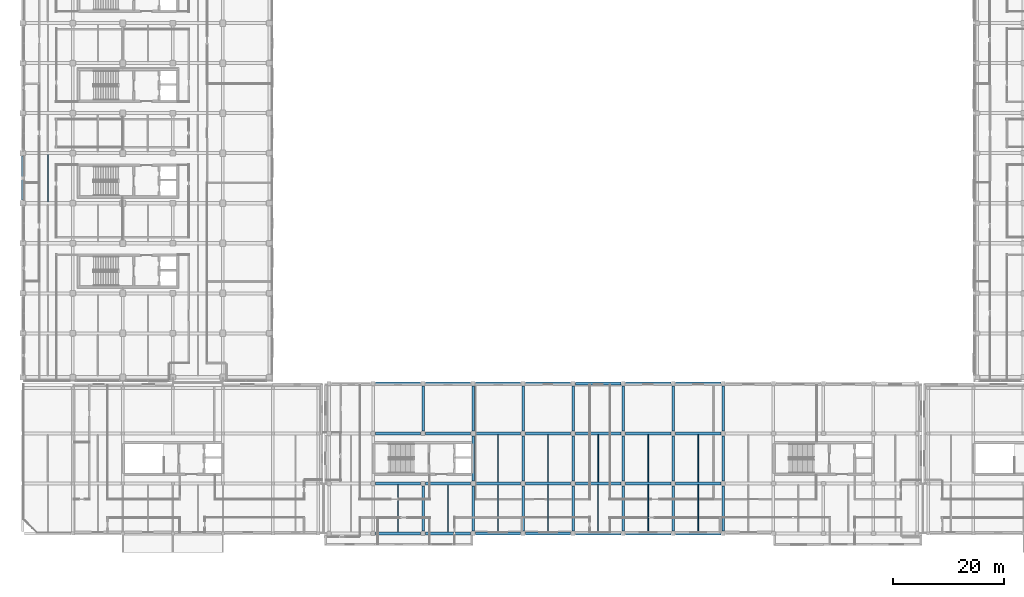
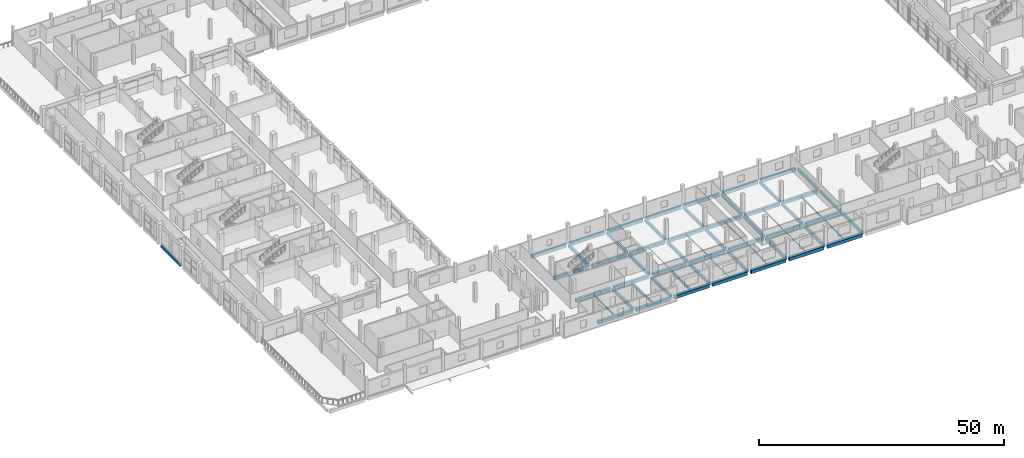
# One storey, part 13 of 111: 62 beams.
"""IFC4 building model written with IfcOpenShell, lengths in metres."""

from ifc_helpers import new_model, si_unit, direction, frame, origin, origin_2d, place, context, subcontext, project, spatial, rectangle, hollow_rectangle, i_section, extrude, material, material_profile, profile_set, type_object, element, save


model = new_model("IFC4")

# Units and contexts
model_context = context("Model", 3, precision=1e-05, world=origin(), true_north=direction((0.0, 1.0)))
body_context = subcontext(model_context, "Body", "Model", "MODEL_VIEW")
ifc_project = project(units=[si_unit("LENGTHUNIT", "METRE"), si_unit("AREAUNIT", "SQUARE_METRE"), si_unit("VOLUMEUNIT", "CUBIC_METRE"), si_unit("PLANEANGLEUNIT", "RADIAN"), si_unit("MASSUNIT", "GRAM", prefix="KILO"), si_unit("THERMODYNAMICTEMPERATUREUNIT", "KELVIN"), si_unit("POWERUNIT", "WATT")], contexts=[model_context])

# Site, building, storey
site_placement = place(None, origin())
site = spatial("IfcSite", under=ifc_project, at=site_placement, CompositionType="ELEMENT")
building_placement = place(site_placement, origin())
building = spatial("IfcBuilding", under=site, at=building_placement, Name="Sindhuravela Promenade Stadium", CompositionType="ELEMENT")
storey_placement = place(building_placement, frame((0.0, 0.0, 9.60009765625)))
storey = spatial("IfcBuildingStorey", under=building, at=storey_placement, Name="L02", CompositionType="ELEMENT", Elevation=9.60009765625)

# Beams
ifc_material_1 = material(Name="Concrete M40", Category="concrete")
ifc_material_profile_1 = material_profile(ifc_material_1, rectangle(XDim=0.39990234375, YDim=0.64990234375, at=origin_2d()), Name="RC 400x650")
ifc_profile_set_1 = profile_set([ifc_material_profile_1], Name="Concrete M40")
beam_type_1 = type_object("IfcBeamType", Name="RC-BM-400x650", PredefinedType="SPANDREL", material=ifc_profile_set_1)
beam_1_placement = place(storey_placement, frame((0.0, 68.93994140625, -0.60498046875), z_axis=(0.0, 1.0, 0.0), x_axis=(-1.0, 0.0, 0.0)))
element("IfcBeam", 1, at=beam_1_placement, inside=storey, type_object=beam_type_1, Name="Primary beam SP01 WEST L02", PredefinedType="SPANDREL", context=body_context, shape_type="SweptSolid", body=[
    extrude(rectangle(XDim=0.39990234375, YDim=0.64990234375, at=origin_2d()), origin(), (0.0, 0.0, 1.0), 7.920166015625),
])
ifc_material_profile_2 = material_profile(ifc_material_1, rectangle(XDim=0.449951171875, YDim=0.699951171875, at=origin_2d()), Name="RC 450x700")
ifc_profile_set_2 = profile_set([ifc_material_profile_2], Name="Concrete M40")
beam_type_2 = type_object("IfcBeamType", Name="RC-BM-450x700", PredefinedType="BEAM", material=ifc_profile_set_2)
for number, where, z_axis, x_axis, name in (
    (2, (72.0, 9.43994140625, -0.630126953125), (0.0, 1.0, 0.0), (-1.0, 0.0, 0.0), "Primary beam GB07 SOUTH L02"),
    (3, (72.0, 27.43994140625, -0.630126953125), (0.0, 1.0, 0.0), (-1.0, 0.0, 0.0), "Primary beam GB07 SOUTH L02"),
    (4, (81.0, 9.43994140625, -0.630126953125), (0.0, 1.0, 0.0), (-1.0, 0.0, 0.0), "Primary beam GB07 SOUTH L02"),
    (5, (81.0, 18.43994140625, -0.630126953125), (0.0, 1.0, 0.0), (-1.0, 0.0, 0.0), "Primary beam GB07 SOUTH L02"),
    (6, (81.0, 27.43994140625, -0.630126953125), (0.0, 1.0, 0.0), (-1.0, 0.0, 0.0), "Primary beam GB07 SOUTH L02"),
    (7, (90.0, 9.43994140625, -0.630126953125), (0.0, 1.0, 0.0), (-1.0, 0.0, 0.0), "Primary beam GB07 SOUTH L02"),
    (8, (90.0, 18.43994140625, -0.630126953125), (0.0, 1.0, 0.0), (-1.0, 0.0, 0.0), "Primary beam GB07 SOUTH L02"),
    (9, (90.0, 27.43994140625, -0.630126953125), (0.0, 1.0, 0.0), (-1.0, 0.0, 0.0), "Primary beam GB07 SOUTH L02"),
    (10, (99.0, 9.43994140625, -0.630126953125), (0.0, 1.0, 0.0), (-1.0, 0.0, 0.0), "Primary beam GB07 SOUTH L02"),
    (11, (99.0, 18.43994140625, -0.630126953125), (0.0, 1.0, 0.0), (-1.0, 0.0, 0.0), "Primary beam GB07 SOUTH L02"),
    (12, (99.0, 27.43994140625, -0.630126953125), (0.0, 1.0, 0.0), (-1.0, 0.0, 0.0), "Primary beam GB07 SOUTH L02"),
    (13, (108.0, 9.43994140625, -0.630126953125), (0.0, 1.0, 0.0), (-1.0, 0.0, 0.0), "Primary beam GB07 SOUTH L02"),
    (14, (108.0, 18.43994140625, -0.630126953125), (0.0, 1.0, 0.0), (-1.0, 0.0, 0.0), "Primary beam GB07 SOUTH L02"),
    (15, (108.0, 27.43994140625, -0.630126953125), (0.0, 1.0, 0.0), (-1.0, 0.0, 0.0), "Primary beam GB07 SOUTH L02"),
    (16, (117.0, 9.43994140625, -0.630126953125), (0.0, 1.0, 0.0), (-1.0, 0.0, 0.0), "Primary beam GB07 SOUTH L02"),
    (17, (117.0, 18.43994140625, -0.630126953125), (0.0, 1.0, 0.0), (-1.0, 0.0, 0.0), "Primary beam GB07 SOUTH L02"),
    (18, (117.0, 27.43994140625, -0.630126953125), (0.0, 1.0, 0.0), (-1.0, 0.0, 0.0), "Primary beam GB07 SOUTH L02"),
    (19, (126.0, 9.43994140625, -0.630126953125), (0.0, 1.0, 0.0), (-1.0, 0.0, 0.0), "Primary beam GB07 SOUTH L02"),
    (20, (126.0, 18.43994140625, -0.630126953125), (0.0, 1.0, 0.0), (-1.0, 0.0, 0.0), "Primary beam GB07 SOUTH L02"),
    (21, (126.0, 27.43994140625, -0.630126953125), (0.0, 1.0, 0.0), (-1.0, 0.0, 0.0), "Primary beam GB07 SOUTH L02"),
):
    element("IfcBeam", number, at=place(storey_placement, frame(where, z_axis=z_axis, x_axis=x_axis)), inside=storey, type_object=beam_type_2, Name=name, PredefinedType="BEAM", context=body_context, shape_type="SweptSolid", body=[
        extrude(rectangle(XDim=0.449951171875, YDim=0.699951171875, at=origin_2d()), origin(), (0.0, 0.0, 1.0), 8.1201171875),
    ])
ifc_material_profile_3 = material_profile(ifc_material_1, rectangle(XDim=0.550048828125, YDim=0.800048828125, at=origin_2d()), Name="RC 550x800")
ifc_profile_set_3 = profile_set([ifc_material_profile_3], Name="Concrete M40")
beam_type_3 = type_object("IfcBeamType", Name="RC-BM-550x800", PredefinedType="BEAM", material=ifc_profile_set_3)
for number, where, z_axis, x_axis, name in (
    (22, (63.43994140625, 9.0, -0.68017578125), (1.0, 0.0, 0.0), (0.0, 1.0, 0.0), "Primary girder GB05 SOUTH L02"),
    (23, (72.43994140625, 9.0, -0.68017578125), (1.0, 0.0, 0.0), (0.0, 1.0, 0.0), "Primary girder GB05 SOUTH L02"),
    (24, (81.43994140625, 9.0, -0.68017578125), (1.0, 0.0, 0.0), (0.0, 1.0, 0.0), "Primary girder GB05 SOUTH L02"),
    (25, (90.43994140625, 9.0, -0.68017578125), (1.0, 0.0, 0.0), (0.0, 1.0, 0.0), "Primary girder GB05 SOUTH L02"),
    (26, (99.43994140625, 9.0, -0.68017578125), (1.0, 0.0, 0.0), (0.0, 1.0, 0.0), "Primary girder GB05 SOUTH L02"),
    (27, (108.43994140625, 9.0, -0.68017578125), (1.0, 0.0, 0.0), (0.0, 1.0, 0.0), "Primary girder GB05 SOUTH L02"),
    (28, (117.43994140625, 9.0, -0.68017578125), (1.0, 0.0, 0.0), (0.0, 1.0, 0.0), "Primary girder GB05 SOUTH L02"),
    (29, (63.43994140625, 18.0, -0.68017578125), (1.0, 0.0, 0.0), (0.0, 1.0, 0.0), "Primary girder GB05 SOUTH L02"),
    (30, (72.43994140625, 18.0, -0.68017578125), (1.0, 0.0, 0.0), (0.0, 1.0, 0.0), "Primary girder GB05 SOUTH L02"),
    (31, (81.43994140625, 18.0, -0.68017578125), (1.0, 0.0, 0.0), (0.0, 1.0, 0.0), "Primary girder GB05 SOUTH L02"),
    (32, (90.43994140625, 18.0, -0.68017578125), (1.0, 0.0, 0.0), (0.0, 1.0, 0.0), "Primary girder GB05 SOUTH L02"),
    (33, (99.43994140625, 18.0, -0.68017578125), (1.0, 0.0, 0.0), (0.0, 1.0, 0.0), "Primary girder GB05 SOUTH L02"),
    (34, (108.43994140625, 18.0, -0.68017578125), (1.0, 0.0, 0.0), (0.0, 1.0, 0.0), "Primary girder GB05 SOUTH L02"),
    (35, (117.43994140625, 18.0, -0.68017578125), (1.0, 0.0, 0.0), (0.0, 1.0, 0.0), "Primary girder GB05 SOUTH L02"),
    (36, (63.43994140625, 27.0, -0.68017578125), (1.0, 0.0, 0.0), (0.0, 1.0, 0.0), "Primary girder GB05 SOUTH L02"),
    (37, (72.43994140625, 27.0, -0.68017578125), (1.0, 0.0, 0.0), (0.0, 1.0, 0.0), "Primary girder GB05 SOUTH L02"),
    (38, (81.43994140625, 27.0, -0.68017578125), (1.0, 0.0, 0.0), (0.0, 1.0, 0.0), "Primary girder GB05 SOUTH L02"),
    (39, (90.43994140625, 27.0, -0.68017578125), (1.0, 0.0, 0.0), (0.0, 1.0, 0.0), "Primary girder GB05 SOUTH L02"),
    (40, (99.43994140625, 27.0, -0.68017578125), (1.0, 0.0, 0.0), (0.0, 1.0, 0.0), "Primary girder GB05 SOUTH L02"),
    (41, (108.43994140625, 27.0, -0.68017578125), (1.0, 0.0, 0.0), (0.0, 1.0, 0.0), "Primary girder GB05 SOUTH L02"),
    (42, (117.43994140625, 27.0, -0.68017578125), (1.0, 0.0, 0.0), (0.0, 1.0, 0.0), "Primary girder GB05 SOUTH L02"),
    (43, (63.43994140625, 36.0, -0.68017578125), (1.0, 0.0, 0.0), (0.0, 1.0, 0.0), "Primary girder GB05 SOUTH L02"),
    (44, (72.43994140625, 36.0, -0.68017578125), (1.0, 0.0, 0.0), (0.0, 1.0, 0.0), "Primary girder GB05 SOUTH L02"),
    (45, (81.43994140625, 36.0, -0.68017578125), (1.0, 0.0, 0.0), (0.0, 1.0, 0.0), "Primary girder GB05 SOUTH L02"),
    (46, (90.43994140625, 36.0, -0.68017578125), (1.0, 0.0, 0.0), (0.0, 1.0, 0.0), "Primary girder GB05 SOUTH L02"),
    (47, (99.43994140625, 36.0, -0.68017578125), (1.0, 0.0, 0.0), (0.0, 1.0, 0.0), "Primary girder GB05 SOUTH L02"),
    (48, (108.43994140625, 36.0, -0.68017578125), (1.0, 0.0, 0.0), (0.0, 1.0, 0.0), "Primary girder GB05 SOUTH L02"),
    (49, (117.43994140625, 36.0, -0.68017578125), (1.0, 0.0, 0.0), (0.0, 1.0, 0.0), "Primary girder GB05 SOUTH L02"),
):
    element("IfcBeam", number, at=place(storey_placement, frame(where, z_axis=z_axis, x_axis=x_axis)), inside=storey, type_object=beam_type_3, Name=name, PredefinedType="BEAM", context=body_context, shape_type="SweptSolid", body=[
        extrude(rectangle(XDim=0.550048828125, YDim=0.800048828125, at=origin_2d()), origin(), (0.0, 0.0, 1.0), 8.1201171875),
    ])
ifc_material_2 = material(Name="Steel E350 (IS 2062 E350BR)", Category="steel")
ifc_material_profile_4 = material_profile(ifc_material_2, hollow_rectangle(XDim=0.10009765625, YDim=0.199951171875, WallThickness=0.008056640625, at=origin_2d()), Name="RHS 200x100x8")
ifc_profile_set_4 = profile_set([ifc_material_profile_4], Name="Steel E350 (IS 2062 E350BR)")
beam_type_4 = type_object("IfcBeamType", Name="ST-BM-LNT200", PredefinedType="LINTEL", material=ifc_profile_set_4)
for number, where, z_axis, x_axis, name in (
    (50, (94.5, 9.264892578125, -0.380126953125), (0.0, 1.0, 0.0), (-1.0, 0.0, 0.0), "Secondary floor joist LN01 SOUTH L02"),
    (51, (85.5, 18.264892578125, -0.380126953125), (0.0, 1.0, 0.0), (-1.0, 0.0, 0.0), "Secondary floor joist LN01 SOUTH L02"),
):
    element("IfcBeam", number, at=place(storey_placement, frame(where, z_axis=z_axis, x_axis=x_axis)), inside=storey, type_object=beam_type_4, Name=name, PredefinedType="LINTEL", context=body_context, shape_type="SweptSolid", body=[
        extrude(hollow_rectangle(XDim=0.10009765625, YDim=0.199951171875, WallThickness=0.008056640625, at=origin_2d()), origin(), (0.0, 0.0, 1.0), 8.47021484375),
    ])
ifc_material_profile_5 = material_profile(ifc_material_2, i_section(OverallWidth=0.10009765625, OverallDepth=0.199951171875, WebThickness=0.005615234375, FlangeThickness=0.0107421875, FilletRadius=0.010986328125, at=origin_2d()), Name="ISMB 200")
ifc_profile_set_5 = profile_set([ifc_material_profile_5], Name="Steel E350 (IS 2062 E350BR)")
beam_type_5 = type_object("IfcBeamType", Name="ST-BM-MB200", PredefinedType="JOIST", material=ifc_profile_set_5)
beam_2_placement = place(storey_placement, frame((4.5, 68.6650390625, -0.380126953125), z_axis=(0.0, 1.0, 0.0), x_axis=(-1.0, 0.0, 0.0)))
element("IfcBeam", 52, at=beam_2_placement, inside=storey, type_object=beam_type_5, Name="Secondary floor joist SB01 WEST L02", PredefinedType="JOIST", context=body_context, shape_type="SweptSolid", body=[
    extrude(i_section(OverallWidth=0.10009765625, OverallDepth=0.199951171875, WebThickness=0.005615234375, FlangeThickness=0.0107421875, FilletRadius=0.010986328125, at=origin_2d()), origin(), (0.0, 0.0, 1.0), 8.469970703125),
])
for number, where, z_axis, x_axis, name in (
    (53, (103.5, 9.264892578125, -0.380126953125), (0.0, 1.0, 0.0), (-1.0, 0.0, 0.0), "Secondary floor joist SB01 SOUTH L02"),
    (54, (94.5, 18.264892578125, -0.380126953125), (0.0, 1.0, 0.0), (-1.0, 0.0, 0.0), "Secondary floor joist SB01 SOUTH L02"),
):
    element("IfcBeam", number, at=place(storey_placement, frame(where, z_axis=z_axis, x_axis=x_axis)), inside=storey, type_object=beam_type_5, Name=name, PredefinedType="JOIST", context=body_context, shape_type="SweptSolid", body=[
        extrude(i_section(OverallWidth=0.10009765625, OverallDepth=0.199951171875, WebThickness=0.005615234375, FlangeThickness=0.0107421875, FilletRadius=0.010986328125, at=origin_2d()), origin(), (0.0, 0.0, 1.0), 8.47021484375),
    ])
ifc_material_profile_6 = material_profile(ifc_material_2, i_section(OverallWidth=0.125, OverallDepth=0.25, WebThickness=0.0068359375, FlangeThickness=0.012451171875, FilletRadius=0.012939453125, at=origin_2d()), Name="ISMB 250")
ifc_profile_set_6 = profile_set([ifc_material_profile_6], Name="Steel E350 (IS 2062 E350BR)")
beam_type_6 = type_object("IfcBeamType", Name="ST-BM-MB250", PredefinedType="JOIST", material=ifc_profile_set_6)
for number, where, z_axis, x_axis, name in (
    (55, (112.5, 9.264892578125, -0.405029296875), (0.0, 1.0, 0.0), (-1.0, 0.0, 0.0), "Secondary floor joist SB02 SOUTH L02"),
    (56, (103.5, 18.264892578125, -0.405029296875), (0.0, 1.0, 0.0), (-1.0, 0.0, 0.0), "Secondary floor joist SB02 SOUTH L02"),
):
    element("IfcBeam", number, at=place(storey_placement, frame(where, z_axis=z_axis, x_axis=x_axis)), inside=storey, type_object=beam_type_6, Name=name, PredefinedType="JOIST", context=body_context, shape_type="SweptSolid", body=[
        extrude(i_section(OverallWidth=0.125, OverallDepth=0.25, WebThickness=0.0068359375, FlangeThickness=0.012451171875, FilletRadius=0.012939453125, at=origin_2d()), origin(), (0.0, 0.0, 1.0), 8.47021484375),
    ])
ifc_material_profile_7 = material_profile(ifc_material_2, i_section(OverallWidth=0.139892578125, OverallDepth=0.300048828125, WebThickness=0.0078125, FlangeThickness=0.01318359375, FilletRadius=0.013916015625, at=origin_2d()), Name="ISMB 300")
ifc_profile_set_7 = profile_set([ifc_material_profile_7], Name="Steel E350 (IS 2062 E350BR)")
beam_type_7 = type_object("IfcBeamType", Name="ST-BM-MB300", PredefinedType="JOIST", material=ifc_profile_set_7)
for number, where, z_axis, x_axis, name in (
    (57, (121.5, 9.264892578125, -0.43017578125), (0.0, 1.0, 0.0), (-1.0, 0.0, 0.0), "Secondary floor joist SB03 SOUTH L02"),
    (58, (112.5, 18.264892578125, -0.43017578125), (0.0, 1.0, 0.0), (-1.0, 0.0, 0.0), "Secondary floor joist SB03 SOUTH L02"),
):
    element("IfcBeam", number, at=place(storey_placement, frame(where, z_axis=z_axis, x_axis=x_axis)), inside=storey, type_object=beam_type_7, Name=name, PredefinedType="JOIST", context=body_context, shape_type="SweptSolid", body=[
        extrude(i_section(OverallWidth=0.139892578125, OverallDepth=0.300048828125, WebThickness=0.0078125, FlangeThickness=0.01318359375, FilletRadius=0.013916015625, at=origin_2d()), origin(), (0.0, 0.0, 1.0), 8.47021484375),
    ])
ifc_material_profile_8 = material_profile(ifc_material_2, i_section(OverallWidth=0.139892578125, OverallDepth=0.35009765625, WebThickness=0.008056640625, FlangeThickness=0.01416015625, FilletRadius=0.013916015625, at=origin_2d()), Name="ISMB 350")
ifc_profile_set_8 = profile_set([ifc_material_profile_8], Name="Steel E350 (IS 2062 E350BR)")
beam_type_8 = type_object("IfcBeamType", Name="ST-BM-MB350", PredefinedType="JOIST", material=ifc_profile_set_8)
beam_3_placement = place(storey_placement, frame((121.5, 18.264892578125, -0.455078125), z_axis=(0.0, 1.0, 0.0), x_axis=(-1.0, 0.0, 0.0)))
element("IfcBeam", 59, at=beam_3_placement, inside=storey, type_object=beam_type_8, Name="Secondary floor joist SB04 SOUTH L02", PredefinedType="JOIST", context=body_context, shape_type="SweptSolid", body=[
    extrude(i_section(OverallWidth=0.139892578125, OverallDepth=0.35009765625, WebThickness=0.008056640625, FlangeThickness=0.01416015625, FilletRadius=0.013916015625, at=origin_2d()), origin(), (0.0, 0.0, 1.0), 8.47021484375),
])
ifc_material_profile_9 = material_profile(ifc_material_2, i_section(OverallWidth=0.14990234375, OverallDepth=0.449951171875, WebThickness=0.009521484375, FlangeThickness=0.017333984375, FilletRadius=0.014892578125, at=origin_2d()), Name="ISMB 450")
ifc_profile_set_9 = profile_set([ifc_material_profile_9], Name="Steel E350 (IS 2062 E350BR)")
beam_type_9 = type_object("IfcBeamType", Name="ST-BM-MB450", PredefinedType="BEAM", material=ifc_profile_set_9)
beam_4_placement = place(storey_placement, frame((67.5, 9.264892578125, -0.505126953125), z_axis=(0.0, 1.0, 0.0), x_axis=(-1.0, 0.0, 0.0)))
element("IfcBeam", 60, at=beam_4_placement, inside=storey, type_object=beam_type_9, Name="Secondary floor joist SB06 SOUTH L02", PredefinedType="BEAM", context=body_context, shape_type="SweptSolid", body=[
    extrude(i_section(OverallWidth=0.14990234375, OverallDepth=0.449951171875, WebThickness=0.009521484375, FlangeThickness=0.017333984375, FilletRadius=0.014892578125, at=origin_2d()), origin(), (0.0, 0.0, 1.0), 8.47021484375),
])
ifc_material_profile_10 = material_profile(ifc_material_2, i_section(OverallWidth=0.18994140625, OverallDepth=0.550048828125, WebThickness=0.01123046875, FlangeThickness=0.019287109375, FilletRadius=0.01806640625, at=origin_2d()), Name="ISMB 550")
ifc_profile_set_10 = profile_set([ifc_material_profile_10], Name="Steel E350 (IS 2062 E350BR)")
beam_type_10 = type_object("IfcBeamType", Name="ST-BM-MB550", PredefinedType="SPANDREL", material=ifc_profile_set_10)
beam_5_placement = place(storey_placement, frame((76.5, 9.264892578125, -0.55517578125), z_axis=(0.0, 1.0, 0.0), x_axis=(-1.0, 0.0, 0.0)))
element("IfcBeam", 61, at=beam_5_placement, inside=storey, type_object=beam_type_10, Name="Secondary floor joist SB08 SOUTH L02", PredefinedType="SPANDREL", context=body_context, shape_type="SweptSolid", body=[
    extrude(i_section(OverallWidth=0.18994140625, OverallDepth=0.550048828125, WebThickness=0.01123046875, FlangeThickness=0.019287109375, FilletRadius=0.01806640625, at=origin_2d()), origin(), (0.0, 0.0, 1.0), 8.47021484375),
])
ifc_material_profile_11 = material_profile(ifc_material_2, i_section(OverallWidth=0.2099609375, OverallDepth=0.60009765625, WebThickness=0.011962890625, FlangeThickness=0.020751953125, FilletRadius=0.02001953125, at=origin_2d()), Name="ISMB 600")
ifc_profile_set_11 = profile_set([ifc_material_profile_11], Name="Steel E350 (IS 2062 E350BR)")
beam_type_11 = type_object("IfcBeamType", Name="ST-BM-MB600", PredefinedType="BEAM", material=ifc_profile_set_11)
beam_6_placement = place(storey_placement, frame((85.5, 9.264892578125, -0.580078125), z_axis=(0.0, 1.0, 0.0), x_axis=(-1.0, 0.0, 0.0)))
element("IfcBeam", 62, at=beam_6_placement, inside=storey, type_object=beam_type_11, Name="Secondary floor joist SB09 SOUTH L02", PredefinedType="BEAM", context=body_context, shape_type="SweptSolid", body=[
    extrude(i_section(OverallWidth=0.2099609375, OverallDepth=0.60009765625, WebThickness=0.011962890625, FlangeThickness=0.020751953125, FilletRadius=0.02001953125, at=origin_2d()), origin(), (0.0, 0.0, 1.0), 8.47021484375),
])

save(model, "model.ifc")
